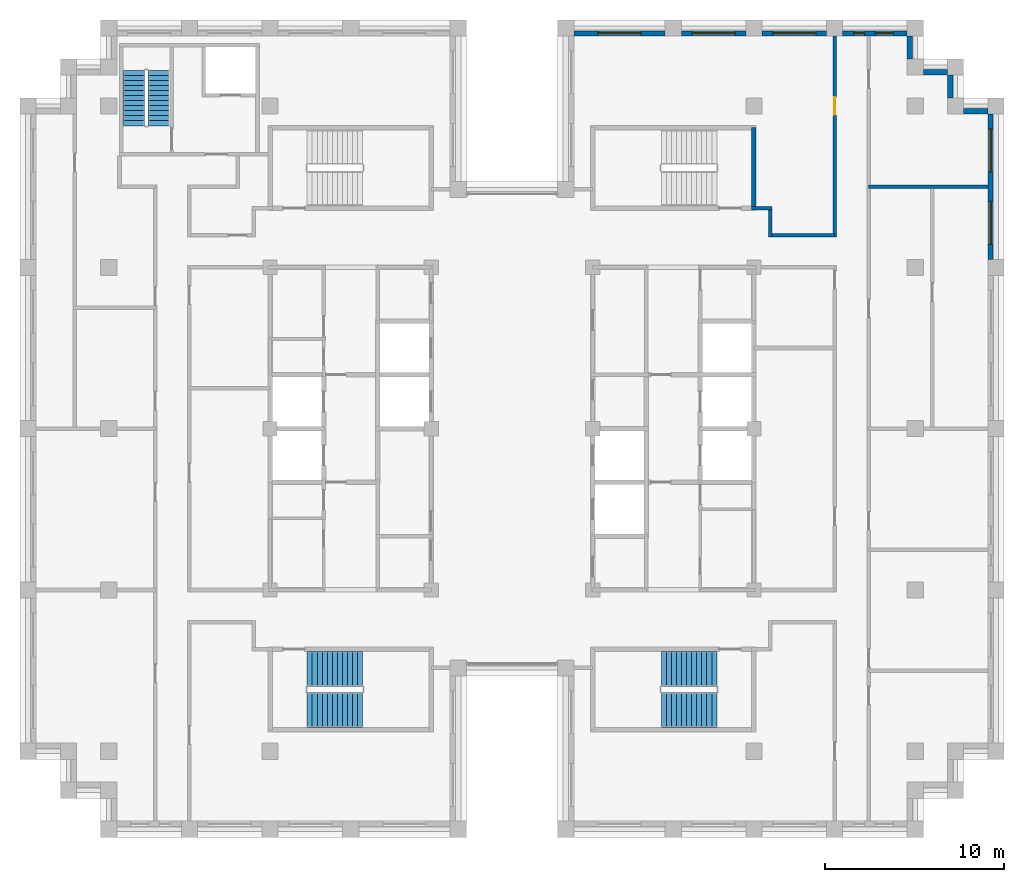
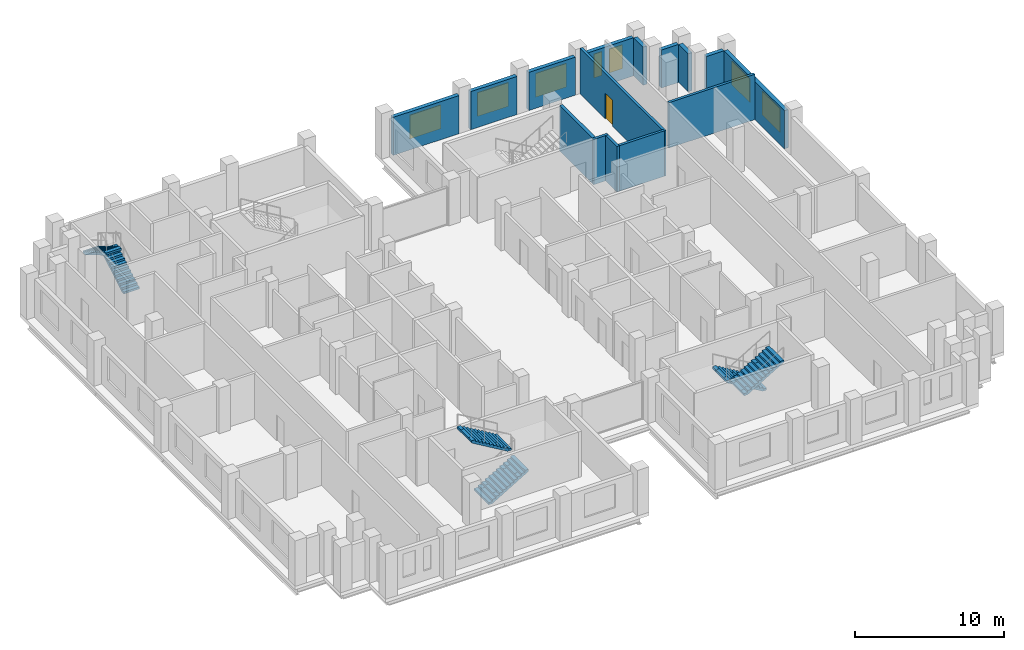
# One storey, part 11 of 13: 15 walls, 7 windows, 6 stair flights, 1 door, 8 openings, 3 elements without a shape of their own.
"""IFC4 building model written with IfcOpenShell, lengths in metres."""

from ifc_helpers import new_model, si_unit, direction, frame, frame_2d, origin, place, context, subcontext, project, spatial, polyline, rectangle, outline, extrude, material, layer, layer_set, type_object, element, fill, aggregate, save


model = new_model("IFC4")

# Units and contexts
model_context = context("Model", 3, precision=1e-05, world=origin(), true_north=direction((0.0, 1.0)))
body_context = subcontext(model_context, "Body", "Model", "MODEL_VIEW")
ifc_project = project(units=[si_unit("LENGTHUNIT", "METRE"), si_unit("AREAUNIT", "SQUARE_METRE"), si_unit("VOLUMEUNIT", "CUBIC_METRE"), si_unit("PLANEANGLEUNIT", "RADIAN"), si_unit("MASSUNIT", "GRAM", prefix="KILO")], contexts=[model_context])

# Site, building, storey
site_placement = place(None, origin())
site = spatial("IfcSite", under=ifc_project, at=site_placement, CompositionType="ELEMENT")
building_placement = place(site_placement, origin())
building = spatial("IfcBuilding", under=site, at=building_placement, Name="Corbelhall Arena Tower", CompositionType="ELEMENT")
storey_placement = place(building_placement, frame((0.0, 0.0, 246.0)))
storey = spatial("IfcBuildingStorey", under=building, at=storey_placement, Name="L52", CompositionType="ELEMENT", Elevation=246.0)

# Wall, openings, windows
ifc_material_1 = material(Name="Precast concrete C40/50 with granite facing", Category="masonry")
ifc_layer_1 = layer(ifc_material_1, 0.300048828125)
ifc_layer_set_1 = layer_set([ifc_layer_1], Name="EV-IW1 Infill panel 300")
wall_type_1 = type_object("IfcWallType", Name="EV-IW1 Infill panel 300", PredefinedType="SOLIDWALL", material=ifc_layer_set_1)
wall_1_placement = place(storey_placement, frame((26.699951171875, 9.449951171875, 0.0), z_axis=(0.0, 0.0, 1.0), x_axis=(0.0, 1.0, 0.0)))
wall_1 = element("IfcWall", 1, at=wall_1_placement, inside=storey, type_object=wall_type_1, Name="Infill panel IW1", PredefinedType="SOLIDWALL", context=body_context, shape_type="SweptSolid", body=[
    extrude(rectangle(XDim=8.10009765625, YDim=0.300048828125, at=frame_2d((4.050048828125, 0.0))), origin(), (0.0, 0.0, 1.0), 3.1201171875),
])
opening_1_placement = place(wall_1_placement, frame((0.824951171875, 0.0, 0.800048828125)))
opening_1 = element("IfcOpeningElement", 2, at=opening_1_placement, cuts=wall_1, Name="Opening WN1", PredefinedType="OPENING", context=body_context, shape_type="SweptSolid", body=[
    extrude(rectangle(XDim=2.39990234375, YDim=1.949951171875, at=frame_2d((1.199951171875, 0.97509765625))), frame((0.0, 0.14990234375, 0.0), z_axis=(0.0, -1.0, 0.0), x_axis=(1.0, 0.0, 0.0)), (0.0, 0.0, 1.0), 0.300048828125),
])
opening_2_placement = place(wall_1_placement, frame((4.875, 0.0, 0.800048828125)))
opening_2 = element("IfcOpeningElement", 3, at=opening_2_placement, cuts=wall_1, Name="Opening WN1", PredefinedType="OPENING", context=body_context, shape_type="SweptSolid", body=[
    extrude(rectangle(XDim=2.39990234375, YDim=1.949951171875, at=frame_2d((1.199951171875, 0.97509765625))), frame((0.0, 0.14990234375, 0.0), z_axis=(0.0, -1.0, 0.0), x_axis=(1.0, 0.0, 0.0)), (0.0, 0.0, 1.0), 0.300048828125),
])
ifc_material_2 = material(Name="Aluminium black anodised", Category="aluminium")
window_type_1 = type_object("IfcWindowType", Name="EV-WN1 Office window", PartitioningType="SINGLE_PANEL", PredefinedType="WINDOW", material=ifc_material_2)
window_1_placement = place(opening_1_placement, origin())
window_1 = element("IfcWindow", 4, at=window_1_placement, inside=storey, type_object=window_type_1, Name="Window WN1", OverallHeight=1.949951171875, OverallWidth=2.39990234375, PartitioningType="SINGLE_PANEL", PredefinedType="WINDOW", context=body_context, shape_type="SweptSolid", body=[
    extrude(rectangle(XDim=2.39990234375, YDim=1.949951171875, at=frame_2d((1.199951171875, 0.97509765625))), frame((0.0, 0.030029296875, 0.0), z_axis=(0.0, -1.0, 0.0), x_axis=(1.0, 0.0, 0.0)), (0.0, 0.0, 1.0), 0.06005859375),
])
fill(opening_1, window_1)
window_2_placement = place(opening_2_placement, origin())
window_2 = element("IfcWindow", 5, at=window_2_placement, inside=storey, type_object=window_type_1, Name="Window WN1", OverallHeight=1.949951171875, OverallWidth=2.39990234375, PartitioningType="SINGLE_PANEL", PredefinedType="WINDOW", context=body_context, shape_type="SweptSolid", body=[
    extrude(rectangle(XDim=2.39990234375, YDim=1.949951171875, at=frame_2d((1.199951171875, 0.97509765625))), frame((0.0, 0.030029296875, 0.0), z_axis=(0.0, -1.0, 0.0), x_axis=(1.0, 0.0, 0.0)), (0.0, 0.0, 1.0), 0.06005859375),
])
fill(opening_2, window_2)

# Walls
wall_2_placement = place(storey_placement, frame((26.550048828125, 17.699951171875, 0.0), z_axis=(0.0, 0.0, 1.0), x_axis=(-1.0, 0.0, 0.0)))
element("IfcWall", 6, at=wall_2_placement, inside=storey, type_object=wall_type_1, Name="Infill panel IW1", PredefinedType="SOLIDWALL", context=body_context, shape_type="SweptSolid", body=[
    extrude(rectangle(XDim=1.35009765625, YDim=0.300048828125, at=frame_2d((0.675048828125, 0.0))), origin(), (0.0, 0.0, 1.0), 3.1201171875),
])
wall_3_placement = place(storey_placement, frame((24.449951171875, 18.449951171875, 0.0), z_axis=(0.0, 0.0, 1.0), x_axis=(0.0, 1.0, 0.0)))
element("IfcWall", 7, at=wall_3_placement, inside=storey, type_object=wall_type_1, Name="Infill panel IW1", PredefinedType="SOLIDWALL", context=body_context, shape_type="SweptSolid", body=[
    extrude(rectangle(XDim=1.275146484375, YDim=0.300048828125, at=frame_2d((0.6376953125, 0.0))), origin(), (0.0, 0.0, 1.0), 3.1201171875),
])
wall_4_placement = place(storey_placement, frame((24.300048828125, 19.875, 0.0), z_axis=(0.0, 0.0, 1.0), x_axis=(-1.0, 0.0, 0.0)))
element("IfcWall", 8, at=wall_4_placement, inside=storey, type_object=wall_type_1, Name="Infill panel IW1", PredefinedType="SOLIDWALL", context=body_context, shape_type="SweptSolid", body=[
    extrude(rectangle(XDim=1.35009765625, YDim=0.300048828125, at=frame_2d((0.675048828125, 0.0))), origin(), (0.0, 0.0, 1.0), 3.1201171875),
])
wall_5_placement = place(storey_placement, frame((22.199951171875, 20.625, 0.0), z_axis=(0.0, 0.0, 1.0), x_axis=(0.0, 1.0, 0.0)))
element("IfcWall", 9, at=wall_5_placement, inside=storey, type_object=wall_type_1, Name="Infill panel IW1", PredefinedType="SOLIDWALL", context=body_context, shape_type="SweptSolid", body=[
    extrude(rectangle(XDim=1.27490234375, YDim=0.300048828125, at=frame_2d((0.637451171875, 0.0))), origin(), (0.0, 0.0, 1.0), 3.1201171875),
])

# Wall, openings, windows
wall_6_placement = place(storey_placement, frame((22.050048828125, 22.050048828125, 0.0), z_axis=(0.0, 0.0, 1.0), x_axis=(-1.0, 0.0, 0.0)))
wall_6 = element("IfcWall", 10, at=wall_6_placement, inside=storey, type_object=wall_type_1, Name="Infill panel IW1", PredefinedType="SOLIDWALL", context=body_context, shape_type="SweptSolid", body=[
    extrude(rectangle(XDim=3.60009765625, YDim=0.300048828125, at=frame_2d((1.800048828125, 0.0))), origin(), (0.0, 0.0, 1.0), 3.1201171875),
])
opening_3_placement = place(wall_6_placement, frame((0.77490234375, 0.0, 0.800048828125)))
opening_3 = element("IfcOpeningElement", 11, at=opening_3_placement, cuts=wall_6, Name="Opening WN6", PredefinedType="OPENING", context=body_context, shape_type="SweptSolid", body=[
    extrude(rectangle(XDim=1.0, YDim=1.949951171875, at=frame_2d((0.5, 0.97509765625))), frame((0.0, 0.14990234375, 0.0), z_axis=(0.0, -1.0, 0.0), x_axis=(1.0, 0.0, 0.0)), (0.0, 0.0, 1.0), 0.300048828125),
])
opening_4_placement = place(wall_6_placement, frame((2.375, 0.0, 0.800048828125)))
opening_4 = element("IfcOpeningElement", 12, at=opening_4_placement, cuts=wall_6, Name="Opening WN5", PredefinedType="OPENING", context=body_context, shape_type="SweptSolid", body=[
    extrude(rectangle(XDim=0.60009765625, YDim=1.949951171875, at=frame_2d((0.300048828125, 0.97509765625))), frame((0.0, 0.14990234375, 0.0), z_axis=(0.0, -1.0, 0.0), x_axis=(1.0, 0.0, 0.0)), (0.0, 0.0, 1.0), 0.300048828125),
])
window_type_2 = type_object("IfcWindowType", Name="EV-WN5 Office window 600", PartitioningType="SINGLE_PANEL", PredefinedType="WINDOW", material=ifc_material_2)
window_3_placement = place(opening_4_placement, origin())
window_3 = element("IfcWindow", 13, at=window_3_placement, inside=storey, type_object=window_type_2, Name="Window WN5", OverallHeight=1.949951171875, OverallWidth=0.60009765625, PartitioningType="SINGLE_PANEL", PredefinedType="WINDOW", context=body_context, shape_type="SweptSolid", body=[
    extrude(rectangle(XDim=0.60009765625, YDim=1.949951171875, at=frame_2d((0.300048828125, 0.97509765625))), frame((0.0, 0.030029296875, 0.0), z_axis=(0.0, -1.0, 0.0), x_axis=(1.0, 0.0, 0.0)), (0.0, 0.0, 1.0), 0.06005859375),
])
fill(opening_4, window_3)
window_type_3 = type_object("IfcWindowType", Name="EV-WN6 Office window 1000", PartitioningType="SINGLE_PANEL", PredefinedType="WINDOW", material=ifc_material_2)
window_4_placement = place(opening_3_placement, origin())
window_4 = element("IfcWindow", 14, at=window_4_placement, inside=storey, type_object=window_type_3, Name="Window WN6", OverallHeight=1.949951171875, OverallWidth=1.0, PartitioningType="SINGLE_PANEL", PredefinedType="WINDOW", context=body_context, shape_type="SweptSolid", body=[
    extrude(rectangle(XDim=1.0, YDim=1.949951171875, at=frame_2d((0.5, 0.97509765625))), frame((0.0, 0.030029296875, 0.0), z_axis=(0.0, -1.0, 0.0), x_axis=(1.0, 0.0, 0.0)), (0.0, 0.0, 1.0), 0.06005859375),
])
fill(opening_3, window_4)

# Wall, opening, window
wall_7_placement = place(storey_placement, frame((17.550048828125, 22.050048828125, 0.0), z_axis=(0.0, 0.0, 1.0), x_axis=(-1.0, 0.0, 0.0)))
wall_7 = element("IfcWall", 15, at=wall_7_placement, inside=storey, type_object=wall_type_1, Name="Infill panel IW1", PredefinedType="SOLIDWALL", context=body_context, shape_type="SweptSolid", body=[
    extrude(rectangle(XDim=3.60009765625, YDim=0.300048828125, at=frame_2d((1.800048828125, 0.0))), origin(), (0.0, 0.0, 1.0), 3.1201171875),
])
opening_5_placement = place(wall_7_placement, frame((0.60009765625, 0.0, 0.800048828125)))
opening_5 = element("IfcOpeningElement", 16, at=opening_5_placement, cuts=wall_7, Name="Opening WN1", PredefinedType="OPENING", context=body_context, shape_type="SweptSolid", body=[
    extrude(rectangle(XDim=2.39990234375, YDim=1.949951171875, at=frame_2d((1.199951171875, 0.97509765625))), frame((0.0, 0.14990234375, 0.0), z_axis=(0.0, -1.0, 0.0), x_axis=(1.0, 0.0, 0.0)), (0.0, 0.0, 1.0), 0.300048828125),
])
window_5_placement = place(opening_5_placement, origin())
window_5 = element("IfcWindow", 17, at=window_5_placement, inside=storey, type_object=window_type_1, Name="Window WN1", OverallHeight=1.949951171875, OverallWidth=2.39990234375, PartitioningType="SINGLE_PANEL", PredefinedType="WINDOW", context=body_context, shape_type="SweptSolid", body=[
    extrude(rectangle(XDim=2.39990234375, YDim=1.949951171875, at=frame_2d((1.199951171875, 0.97509765625))), frame((0.0, 0.030029296875, 0.0), z_axis=(0.0, -1.0, 0.0), x_axis=(1.0, 0.0, 0.0)), (0.0, 0.0, 1.0), 0.06005859375),
])
fill(opening_5, window_5)

wall_8_placement = place(storey_placement, frame((13.050048828125, 22.050048828125, 0.0), z_axis=(0.0, 0.0, 1.0), x_axis=(-1.0, 0.0, 0.0)))
wall_8 = element("IfcWall", 18, at=wall_8_placement, inside=storey, type_object=wall_type_1, Name="Infill panel IW1", PredefinedType="SOLIDWALL", context=body_context, shape_type="SweptSolid", body=[
    extrude(rectangle(XDim=3.60009765625, YDim=0.300048828125, at=frame_2d((1.800048828125, 0.0))), origin(), (0.0, 0.0, 1.0), 3.1201171875),
])
opening_6_placement = place(wall_8_placement, frame((0.60009765625, 0.0, 0.800048828125)))
opening_6 = element("IfcOpeningElement", 19, at=opening_6_placement, cuts=wall_8, Name="Opening WN1", PredefinedType="OPENING", context=body_context, shape_type="SweptSolid", body=[
    extrude(rectangle(XDim=2.39990234375, YDim=1.949951171875, at=frame_2d((1.199951171875, 0.97509765625))), frame((0.0, 0.14990234375, 0.0), z_axis=(0.0, -1.0, 0.0), x_axis=(1.0, 0.0, 0.0)), (0.0, 0.0, 1.0), 0.300048828125),
])
window_6_placement = place(opening_6_placement, origin())
window_6 = element("IfcWindow", 20, at=window_6_placement, inside=storey, type_object=window_type_1, Name="Window WN1", OverallHeight=1.949951171875, OverallWidth=2.39990234375, PartitioningType="SINGLE_PANEL", PredefinedType="WINDOW", context=body_context, shape_type="SweptSolid", body=[
    extrude(rectangle(XDim=2.39990234375, YDim=1.949951171875, at=frame_2d((1.199951171875, 0.97509765625))), frame((0.0, 0.030029296875, 0.0), z_axis=(0.0, -1.0, 0.0), x_axis=(1.0, 0.0, 0.0)), (0.0, 0.0, 1.0), 0.06005859375),
])
fill(opening_6, window_6)

wall_9_placement = place(storey_placement, frame((8.550048828125, 22.050048828125, 0.0), z_axis=(0.0, 0.0, 1.0), x_axis=(-1.0, 0.0, 0.0)))
wall_9 = element("IfcWall", 21, at=wall_9_placement, inside=storey, type_object=wall_type_1, Name="Infill panel IW1", PredefinedType="SOLIDWALL", context=body_context, shape_type="SweptSolid", body=[
    extrude(rectangle(XDim=5.10009765625, YDim=0.300048828125, at=frame_2d((2.550048828125, 0.0))), origin(), (0.0, 0.0, 1.0), 3.1201171875),
])
opening_7_placement = place(wall_9_placement, frame((1.35009765625, 0.0, 0.800048828125)))
opening_7 = element("IfcOpeningElement", 22, at=opening_7_placement, cuts=wall_9, Name="Opening WN1", PredefinedType="OPENING", context=body_context, shape_type="SweptSolid", body=[
    extrude(rectangle(XDim=2.39990234375, YDim=1.949951171875, at=frame_2d((1.199951171875, 0.97509765625))), frame((0.0, 0.14990234375, 0.0), z_axis=(0.0, -1.0, 0.0), x_axis=(1.0, 0.0, 0.0)), (0.0, 0.0, 1.0), 0.300048828125),
])
window_7_placement = place(opening_7_placement, origin())
window_7 = element("IfcWindow", 23, at=window_7_placement, inside=storey, type_object=window_type_1, Name="Window WN1", OverallHeight=1.949951171875, OverallWidth=2.39990234375, PartitioningType="SINGLE_PANEL", PredefinedType="WINDOW", context=body_context, shape_type="SweptSolid", body=[
    extrude(rectangle(XDim=2.39990234375, YDim=1.949951171875, at=frame_2d((1.199951171875, 0.97509765625))), frame((0.0, 0.030029296875, 0.0), z_axis=(0.0, -1.0, 0.0), x_axis=(1.0, 0.0, 0.0)), (0.0, 0.0, 1.0), 0.06005859375),
])
fill(opening_7, window_7)

# Walls
ifc_material_3 = material(Name="Gypsum board on steel stud, acoustic", Category="steel")
ifc_layer_2 = layer(ifc_material_3, 0.199951171875)
ifc_layer_set_2 = layer_set([ifc_layer_2], Name="IN-W-DM200")
wall_type_2 = type_object("IfcWallType", Name="IN-W-DM200", PredefinedType="PARTITIONING", material=ifc_layer_set_2)
wall_10_placement = place(storey_placement, frame((13.375, 12.300048828125, 0.0), z_axis=(0.0, 0.0, 1.0), x_axis=(1.0, 0.0, 0.0)))
element("IfcWall", 24, at=wall_10_placement, inside=storey, type_object=wall_type_2, Name="Partition 026", PredefinedType="PARTITIONING", context=body_context, shape_type="SweptSolid", body=[
    extrude(rectangle(XDim=1.125, YDim=0.199951171875, at=frame_2d((0.5625, 0.0))), origin(), (0.0, 0.0, 1.0), 3.719970703125),
])
wall_11_placement = place(storey_placement, frame((14.39990234375, 10.800048828125, 0.0), z_axis=(0.0, 0.0, 1.0), x_axis=(1.0, 0.0, 0.0)))
element("IfcWall", 25, at=wall_11_placement, inside=storey, type_object=wall_type_2, Name="Partition 032", PredefinedType="PARTITIONING", context=body_context, shape_type="SweptSolid", body=[
    extrude(rectangle(XDim=3.60009765625, YDim=0.199951171875, at=frame_2d((1.800048828125, 0.0))), origin(), (0.0, 0.0, 1.0), 3.719970703125),
])
wall_12_placement = place(storey_placement, frame((14.39990234375, 12.300048828125, 0.0), z_axis=(0.0, 0.0, 1.0), x_axis=(0.0, -1.0, 0.0)))
element("IfcWall", 26, at=wall_12_placement, inside=storey, type_object=wall_type_2, Name="Partition 033", PredefinedType="PARTITIONING", context=body_context, shape_type="SweptSolid", body=[
    extrude(rectangle(XDim=1.60009765625, YDim=0.199951171875, at=frame_2d((0.800048828125, 0.0))), origin(), (0.0, 0.0, 1.0), 3.719970703125),
])

# Wall, opening, door
wall_13_placement = place(storey_placement, frame((18.0, 10.699951171875, 0.0), z_axis=(0.0, 0.0, 1.0), x_axis=(0.0, 1.0, 0.0)))
wall_13 = element("IfcWall", 27, at=wall_13_placement, inside=storey, type_object=wall_type_2, Name="Partition 037", PredefinedType="PARTITIONING", context=body_context, shape_type="SweptSolid", body=[
    extrude(rectangle(XDim=11.199951171875, YDim=0.199951171875, at=frame_2d((5.60009765625, 0.0))), origin(), (0.0, 0.0, 1.0), 3.719970703125),
])
opening_8_placement = place(wall_13_placement, frame((6.800048828125, 0.0, 0.0)))
opening_8 = element("IfcOpeningElement", 28, at=opening_8_placement, cuts=wall_13, Name="Opening 16026", PredefinedType="OPENING", context=body_context, shape_type="SweptSolid", body=[
    extrude(rectangle(XDim=1.0, YDim=2.10009765625, at=frame_2d((0.5, 1.050048828125))), frame((0.0, 0.10009765625, 0.0), z_axis=(0.0, -1.0, 0.0), x_axis=(1.0, 0.0, 0.0)), (0.0, 0.0, 1.0), 0.199951171875),
])
ifc_material_4 = material(Name="Steel door set", Category="steel")
door_type = type_object("IfcDoorType", Name="IN-D-SW100", OperationType="NOTDEFINED", PredefinedType="DOOR", material=ifc_material_4)
door_placement = place(opening_8_placement, origin())
door = element("IfcDoor", 29, at=door_placement, inside=storey, type_object=door_type, Name="Door 026", OperationType="SINGLE_SWING_LEFT", OverallHeight=2.10009765625, OverallWidth=1.0, PredefinedType="DOOR", context=body_context, shape_type="SweptSolid", body=[
    extrude(rectangle(XDim=1.0, YDim=2.10009765625, at=frame_2d((0.5, 1.050048828125))), frame((0.0, 0.02490234375, 0.0), z_axis=(0.0, -1.0, 0.0), x_axis=(1.0, 0.0, 0.0)), (0.0, 0.0, 1.0), 0.050048828125),
])
fill(opening_8, door)

# Walls
wall_14_placement = place(storey_placement, frame((19.89990234375, 13.5, 0.0), z_axis=(0.0, 0.0, 1.0), x_axis=(1.0, 0.0, 0.0)))
element("IfcWall", 30, at=wall_14_placement, inside=storey, type_object=wall_type_2, Name="Partition 041", PredefinedType="PARTITIONING", context=body_context, shape_type="SweptSolid", body=[
    extrude(rectangle(XDim=6.650146484375, YDim=0.199951171875, at=frame_2d((3.3251953125, 0.0))), origin(), (0.0, 0.0, 1.0), 3.719970703125),
])
ifc_material_5 = material(Name="Concrete C40/50", Category="concrete")
ifc_layer_3 = layer(ifc_material_5, 0.25)
ifc_layer_set_3 = layer_set([ifc_layer_3], Name="IN-W-ST250")
wall_type_3 = type_object("IfcWallType", Name="IN-W-ST250", PredefinedType="SOLIDWALL", material=ifc_layer_set_3)
wall_15_placement = place(storey_placement, frame((13.5, 16.800048828125, 0.0), z_axis=(0.0, 0.0, 1.0), x_axis=(0.0, -1.0, 0.0)))
element("IfcWall", 31, at=wall_15_placement, inside=storey, type_object=wall_type_3, Name="Shaft wall 101", PredefinedType="SOLIDWALL", context=body_context, shape_type="SweptSolid", body=[
    extrude(rectangle(XDim=4.5, YDim=0.25, at=frame_2d((2.25, 0.0))), origin(), (0.0, 0.0, 1.0), 3.719970703125),
])

# Stair, stair flights
stair_type = type_object("IfcStairType", Name="IN-ST-TOWER", PredefinedType="HALF_TURN_STAIR", material=ifc_material_5)
stair_1_placement = place(storey_placement, origin())
stair_1 = element("IfcStair", 32, at=stair_1_placement, inside=storey, type_object=stair_type, Name="L52 Exit stair ST2", PredefinedType="HALF_TURN_STAIR")
stair_flight_type = type_object("IfcStairFlightType", Name="IN-SFL-RC", PredefinedType="STRAIGHT", material=ifc_material_5)
stair_flight_1_placement = place(storey_placement, frame((-11.425048828125, -15.699951171875, 0.0), z_axis=(0.0, 0.0, 1.0), x_axis=(1.0, 0.0, 0.0)))
stair_flight_1 = element("IfcStairFlight", 33, at=stair_flight_1_placement, type_object=stair_flight_type, Name="ST2 flight 1", NumberOfRisers=12, NumberOfTreads=11, PredefinedType="STRAIGHT", RiserHeight=0.166666667, TreadLength=0.28, context=body_context, shape_type="SweptSolid", body=[
    extrude(outline(polyline([(0.0, 0.0), (0.0, 0.166748046875), (0.280029296875, 0.166748046875), (0.280029296875, 0.333251953125), (0.56005859375, 0.333251953125), (0.56005859375, 0.5), (0.840087890625, 0.5), (0.840087890625, 0.666748046875), (1.1201171875, 0.666748046875), (1.1201171875, 0.833251953125), (1.39990234375, 0.833251953125), (1.39990234375, 1.0), (1.679931640625, 1.0), (1.679931640625, 1.166748046875), (1.9599609375, 1.166748046875), (1.9599609375, 1.333251953125), (2.239990234375, 1.333251953125), (2.239990234375, 1.5), (2.52001953125, 1.5), (2.52001953125, 1.666748046875), (2.800048828125, 1.666748046875), (2.800048828125, 1.833251953125), (3.080078125, 1.833251953125), (3.080078125, 2.0), (3.080078125, 1.658935546875), (0.29296875, 0.0), (0.0, 0.0)])), frame((0.0, 0.97509765625, 0.0), z_axis=(0.0, -1.0, 0.0), x_axis=(1.0, 0.0, 0.0)), (0.0, 0.0, 1.0), 0.449951171875),
    extrude(outline(polyline([(0.0, 0.0), (0.0, 0.166748046875), (0.280029296875, 0.166748046875), (0.280029296875, 0.333251953125), (0.56005859375, 0.333251953125), (0.56005859375, 0.5), (0.840087890625, 0.5), (0.840087890625, 0.666748046875), (1.1201171875, 0.666748046875), (1.1201171875, 0.833251953125), (1.39990234375, 0.833251953125), (1.39990234375, 1.0), (1.679931640625, 1.0), (1.679931640625, 1.166748046875), (1.9599609375, 1.166748046875), (1.9599609375, 1.333251953125), (2.239990234375, 1.333251953125), (2.239990234375, 1.5), (2.52001953125, 1.5), (2.52001953125, 1.666748046875), (2.800048828125, 1.666748046875), (2.800048828125, 1.833251953125), (3.080078125, 1.833251953125), (3.080078125, 2.0), (3.080078125, 1.658935546875), (0.29296875, 0.0), (0.0, 0.0)])), frame((0.0, 0.52099609375, 0.0), z_axis=(0.0, -1.0, 0.0), x_axis=(1.0, 0.0, 0.0)), (0.0, 0.0, 1.0), 1.0419921875),
    extrude(outline(polyline([(0.0, 0.0), (0.0, 0.166748046875), (0.280029296875, 0.166748046875), (0.280029296875, 0.333251953125), (0.56005859375, 0.333251953125), (0.56005859375, 0.5), (0.840087890625, 0.5), (0.840087890625, 0.666748046875), (1.1201171875, 0.666748046875), (1.1201171875, 0.833251953125), (1.39990234375, 0.833251953125), (1.39990234375, 1.0), (1.679931640625, 1.0), (1.679931640625, 1.166748046875), (1.9599609375, 1.166748046875), (1.9599609375, 1.333251953125), (2.239990234375, 1.333251953125), (2.239990234375, 1.5), (2.52001953125, 1.5), (2.52001953125, 1.666748046875), (2.800048828125, 1.666748046875), (2.800048828125, 1.833251953125), (3.080078125, 1.833251953125), (3.080078125, 2.0), (3.080078125, 1.658935546875), (0.29296875, 0.0), (0.0, 0.0)])), frame((0.0, -0.52490234375, 0.0), z_axis=(0.0, -1.0, 0.0), x_axis=(1.0, 0.0, 0.0)), (0.0, 0.0, 1.0), 0.449951171875),
])
stair_flight_2_placement = place(storey_placement, frame((-8.344970703125, -13.39990234375, 2.0), z_axis=(0.0, 0.0, 1.0), x_axis=(-1.0, 0.0, 0.0)))
stair_flight_2 = element("IfcStairFlight", 34, at=stair_flight_2_placement, type_object=stair_flight_type, Name="ST2 flight 2", NumberOfRisers=12, NumberOfTreads=11, PredefinedType="STRAIGHT", RiserHeight=0.166666667, TreadLength=0.28, context=body_context, shape_type="SweptSolid", body=[
    extrude(outline(polyline([(0.0, 0.0), (0.0, 0.166748046875), (0.280029296875, 0.166748046875), (0.280029296875, 0.333251953125), (0.56005859375, 0.333251953125), (0.56005859375, 0.5), (0.840087890625, 0.5), (0.840087890625, 0.666748046875), (1.1201171875, 0.666748046875), (1.1201171875, 0.833251953125), (1.39990234375, 0.833251953125), (1.39990234375, 1.0), (1.679931640625, 1.0), (1.679931640625, 1.166748046875), (1.9599609375, 1.166748046875), (1.9599609375, 1.333251953125), (2.239990234375, 1.333251953125), (2.239990234375, 1.5), (2.52001953125, 1.5), (2.52001953125, 1.666748046875), (2.800048828125, 1.666748046875), (2.800048828125, 1.833251953125), (3.080078125, 1.833251953125), (3.080078125, 2.0), (3.080078125, 1.658935546875), (0.29296875, 0.0), (0.0, 0.0)])), frame((0.0, 0.97509765625, 0.0), z_axis=(0.0, -1.0, 0.0), x_axis=(1.0, 0.0, 0.0)), (0.0, 0.0, 1.0), 0.449951171875),
    extrude(outline(polyline([(0.0, 0.0), (0.0, 0.166748046875), (0.280029296875, 0.166748046875), (0.280029296875, 0.333251953125), (0.56005859375, 0.333251953125), (0.56005859375, 0.5), (0.840087890625, 0.5), (0.840087890625, 0.666748046875), (1.1201171875, 0.666748046875), (1.1201171875, 0.833251953125), (1.39990234375, 0.833251953125), (1.39990234375, 1.0), (1.679931640625, 1.0), (1.679931640625, 1.166748046875), (1.9599609375, 1.166748046875), (1.9599609375, 1.333251953125), (2.239990234375, 1.333251953125), (2.239990234375, 1.5), (2.52001953125, 1.5), (2.52001953125, 1.666748046875), (2.800048828125, 1.666748046875), (2.800048828125, 1.833251953125), (3.080078125, 1.833251953125), (3.080078125, 2.0), (3.080078125, 1.658935546875), (0.29296875, 0.0), (0.0, 0.0)])), frame((0.0, 0.52099609375, 0.0), z_axis=(0.0, -1.0, 0.0), x_axis=(1.0, 0.0, 0.0)), (0.0, 0.0, 1.0), 1.0419921875),
    extrude(outline(polyline([(0.0, 0.0), (0.0, 0.166748046875), (0.280029296875, 0.166748046875), (0.280029296875, 0.333251953125), (0.56005859375, 0.333251953125), (0.56005859375, 0.5), (0.840087890625, 0.5), (0.840087890625, 0.666748046875), (1.1201171875, 0.666748046875), (1.1201171875, 0.833251953125), (1.39990234375, 0.833251953125), (1.39990234375, 1.0), (1.679931640625, 1.0), (1.679931640625, 1.166748046875), (1.9599609375, 1.166748046875), (1.9599609375, 1.333251953125), (2.239990234375, 1.333251953125), (2.239990234375, 1.5), (2.52001953125, 1.5), (2.52001953125, 1.666748046875), (2.800048828125, 1.666748046875), (2.800048828125, 1.833251953125), (3.080078125, 1.833251953125), (3.080078125, 2.0), (3.080078125, 1.658935546875), (0.29296875, 0.0), (0.0, 0.0)])), frame((0.0, -0.52490234375, 0.0), z_axis=(0.0, -1.0, 0.0), x_axis=(1.0, 0.0, 0.0)), (0.0, 0.0, 1.0), 0.449951171875),
])
aggregate(stair_1, [stair_flight_1, stair_flight_2])

stair_2_placement = place(storey_placement, origin())
stair_2 = element("IfcStair", 35, at=stair_2_placement, inside=storey, type_object=stair_type, Name="L52 Exit stair ST4", PredefinedType="HALF_TURN_STAIR")
stair_flight_3_placement = place(storey_placement, frame((11.425048828125, -13.39990234375, 0.0), z_axis=(0.0, 0.0, 1.0), x_axis=(-1.0, 0.0, 0.0)))
stair_flight_3 = element("IfcStairFlight", 36, at=stair_flight_3_placement, type_object=stair_flight_type, Name="ST4 flight 1", NumberOfRisers=12, NumberOfTreads=11, PredefinedType="STRAIGHT", RiserHeight=0.166666667, TreadLength=0.28, context=body_context, shape_type="SweptSolid", body=[
    extrude(outline(polyline([(0.0, 0.0), (0.0, 0.166748046875), (0.280029296875, 0.166748046875), (0.280029296875, 0.333251953125), (0.56005859375, 0.333251953125), (0.56005859375, 0.5), (0.840087890625, 0.5), (0.840087890625, 0.666748046875), (1.1201171875, 0.666748046875), (1.1201171875, 0.833251953125), (1.39990234375, 0.833251953125), (1.39990234375, 1.0), (1.679931640625, 1.0), (1.679931640625, 1.166748046875), (1.9599609375, 1.166748046875), (1.9599609375, 1.333251953125), (2.239990234375, 1.333251953125), (2.239990234375, 1.5), (2.52001953125, 1.5), (2.52001953125, 1.666748046875), (2.800048828125, 1.666748046875), (2.800048828125, 1.833251953125), (3.080078125, 1.833251953125), (3.080078125, 2.0), (3.080078125, 1.658935546875), (0.29296875, 0.0), (0.0, 0.0)])), frame((0.0, 0.97509765625, 0.0), z_axis=(0.0, -1.0, 0.0), x_axis=(1.0, 0.0, 0.0)), (0.0, 0.0, 1.0), 0.449951171875),
    extrude(outline(polyline([(0.0, 0.0), (0.0, 0.166748046875), (0.280029296875, 0.166748046875), (0.280029296875, 0.333251953125), (0.56005859375, 0.333251953125), (0.56005859375, 0.5), (0.840087890625, 0.5), (0.840087890625, 0.666748046875), (1.1201171875, 0.666748046875), (1.1201171875, 0.833251953125), (1.39990234375, 0.833251953125), (1.39990234375, 1.0), (1.679931640625, 1.0), (1.679931640625, 1.166748046875), (1.9599609375, 1.166748046875), (1.9599609375, 1.333251953125), (2.239990234375, 1.333251953125), (2.239990234375, 1.5), (2.52001953125, 1.5), (2.52001953125, 1.666748046875), (2.800048828125, 1.666748046875), (2.800048828125, 1.833251953125), (3.080078125, 1.833251953125), (3.080078125, 2.0), (3.080078125, 1.658935546875), (0.29296875, 0.0), (0.0, 0.0)])), frame((0.0, 0.52099609375, 0.0), z_axis=(0.0, -1.0, 0.0), x_axis=(1.0, 0.0, 0.0)), (0.0, 0.0, 1.0), 1.0419921875),
    extrude(outline(polyline([(0.0, 0.0), (0.0, 0.166748046875), (0.280029296875, 0.166748046875), (0.280029296875, 0.333251953125), (0.56005859375, 0.333251953125), (0.56005859375, 0.5), (0.840087890625, 0.5), (0.840087890625, 0.666748046875), (1.1201171875, 0.666748046875), (1.1201171875, 0.833251953125), (1.39990234375, 0.833251953125), (1.39990234375, 1.0), (1.679931640625, 1.0), (1.679931640625, 1.166748046875), (1.9599609375, 1.166748046875), (1.9599609375, 1.333251953125), (2.239990234375, 1.333251953125), (2.239990234375, 1.5), (2.52001953125, 1.5), (2.52001953125, 1.666748046875), (2.800048828125, 1.666748046875), (2.800048828125, 1.833251953125), (3.080078125, 1.833251953125), (3.080078125, 2.0), (3.080078125, 1.658935546875), (0.29296875, 0.0), (0.0, 0.0)])), frame((0.0, -0.52490234375, 0.0), z_axis=(0.0, -1.0, 0.0), x_axis=(1.0, 0.0, 0.0)), (0.0, 0.0, 1.0), 0.449951171875),
])
stair_flight_4_placement = place(storey_placement, frame((8.344970703125, -15.699951171875, 2.0), z_axis=(0.0, 0.0, 1.0), x_axis=(1.0, 0.0, 0.0)))
stair_flight_4 = element("IfcStairFlight", 37, at=stair_flight_4_placement, type_object=stair_flight_type, Name="ST4 flight 2", NumberOfRisers=12, NumberOfTreads=11, PredefinedType="STRAIGHT", RiserHeight=0.166666667, TreadLength=0.28, context=body_context, shape_type="SweptSolid", body=[
    extrude(outline(polyline([(0.0, 0.0), (0.0, 0.166748046875), (0.280029296875, 0.166748046875), (0.280029296875, 0.333251953125), (0.56005859375, 0.333251953125), (0.56005859375, 0.5), (0.840087890625, 0.5), (0.840087890625, 0.666748046875), (1.1201171875, 0.666748046875), (1.1201171875, 0.833251953125), (1.39990234375, 0.833251953125), (1.39990234375, 1.0), (1.679931640625, 1.0), (1.679931640625, 1.166748046875), (1.9599609375, 1.166748046875), (1.9599609375, 1.333251953125), (2.239990234375, 1.333251953125), (2.239990234375, 1.5), (2.52001953125, 1.5), (2.52001953125, 1.666748046875), (2.800048828125, 1.666748046875), (2.800048828125, 1.833251953125), (3.080078125, 1.833251953125), (3.080078125, 2.0), (3.080078125, 1.658935546875), (0.29296875, 0.0), (0.0, 0.0)])), frame((0.0, 0.97509765625, 0.0), z_axis=(0.0, -1.0, 0.0), x_axis=(1.0, 0.0, 0.0)), (0.0, 0.0, 1.0), 0.449951171875),
    extrude(outline(polyline([(0.0, 0.0), (0.0, 0.166748046875), (0.280029296875, 0.166748046875), (0.280029296875, 0.333251953125), (0.56005859375, 0.333251953125), (0.56005859375, 0.5), (0.840087890625, 0.5), (0.840087890625, 0.666748046875), (1.1201171875, 0.666748046875), (1.1201171875, 0.833251953125), (1.39990234375, 0.833251953125), (1.39990234375, 1.0), (1.679931640625, 1.0), (1.679931640625, 1.166748046875), (1.9599609375, 1.166748046875), (1.9599609375, 1.333251953125), (2.239990234375, 1.333251953125), (2.239990234375, 1.5), (2.52001953125, 1.5), (2.52001953125, 1.666748046875), (2.800048828125, 1.666748046875), (2.800048828125, 1.833251953125), (3.080078125, 1.833251953125), (3.080078125, 2.0), (3.080078125, 1.658935546875), (0.29296875, 0.0), (0.0, 0.0)])), frame((0.0, 0.52099609375, 0.0), z_axis=(0.0, -1.0, 0.0), x_axis=(1.0, 0.0, 0.0)), (0.0, 0.0, 1.0), 1.0419921875),
    extrude(outline(polyline([(0.0, 0.0), (0.0, 0.166748046875), (0.280029296875, 0.166748046875), (0.280029296875, 0.333251953125), (0.56005859375, 0.333251953125), (0.56005859375, 0.5), (0.840087890625, 0.5), (0.840087890625, 0.666748046875), (1.1201171875, 0.666748046875), (1.1201171875, 0.833251953125), (1.39990234375, 0.833251953125), (1.39990234375, 1.0), (1.679931640625, 1.0), (1.679931640625, 1.166748046875), (1.9599609375, 1.166748046875), (1.9599609375, 1.333251953125), (2.239990234375, 1.333251953125), (2.239990234375, 1.5), (2.52001953125, 1.5), (2.52001953125, 1.666748046875), (2.800048828125, 1.666748046875), (2.800048828125, 1.833251953125), (3.080078125, 1.833251953125), (3.080078125, 2.0), (3.080078125, 1.658935546875), (0.29296875, 0.0), (0.0, 0.0)])), frame((0.0, -0.52490234375, 0.0), z_axis=(0.0, -1.0, 0.0), x_axis=(1.0, 0.0, 0.0)), (0.0, 0.0, 1.0), 0.449951171875),
])
aggregate(stair_2, [stair_flight_3, stair_flight_4])

stair_3_placement = place(storey_placement, origin())
stair_3 = element("IfcStair", 38, at=stair_3_placement, inside=storey, type_object=stair_type, Name="L52 Exit stair ST5", PredefinedType="HALF_TURN_STAIR")
stair_flight_5_placement = place(storey_placement, frame((-19.695068359375, 16.89990234375, 0.0), z_axis=(0.0, 0.0, 1.0), x_axis=(0.0, 1.0, 0.0)))
stair_flight_5 = element("IfcStairFlight", 39, at=stair_flight_5_placement, type_object=stair_flight_type, Name="ST5 flight 1", NumberOfRisers=12, NumberOfTreads=11, PredefinedType="STRAIGHT", RiserHeight=0.166666667, TreadLength=0.28, context=body_context, shape_type="SweptSolid", body=[
    extrude(outline(polyline([(0.0, 0.0), (0.0, 0.166748046875), (0.280029296875, 0.166748046875), (0.280029296875, 0.333251953125), (0.56005859375, 0.333251953125), (0.56005859375, 0.5), (0.840087890625, 0.5), (0.840087890625, 0.666748046875), (1.1201171875, 0.666748046875), (1.1201171875, 0.833251953125), (1.39990234375, 0.833251953125), (1.39990234375, 1.0), (1.679931640625, 1.0), (1.679931640625, 1.166748046875), (1.9599609375, 1.166748046875), (1.9599609375, 1.333251953125), (2.239990234375, 1.333251953125), (2.239990234375, 1.5), (2.52001953125, 1.5), (2.52001953125, 1.666748046875), (2.800048828125, 1.666748046875), (2.800048828125, 1.833251953125), (3.080078125, 1.833251953125), (3.080078125, 2.0), (3.080078125, 1.658935546875), (0.29296875, 0.0), (0.0, 0.0)])), frame((0.0, 0.60009765625, 0.0), z_axis=(0.0, -1.0, 0.0), x_axis=(1.0, 0.0, 0.0)), (0.0, 0.0, 1.0), 1.199951171875),
])
stair_flight_6_placement = place(storey_placement, frame((-21.094970703125, 19.97998046875, 2.0), z_axis=(0.0, 0.0, 1.0), x_axis=(0.0, -1.0, 0.0)))
stair_flight_6 = element("IfcStairFlight", 40, at=stair_flight_6_placement, type_object=stair_flight_type, Name="ST5 flight 2", NumberOfRisers=12, NumberOfTreads=11, PredefinedType="STRAIGHT", RiserHeight=0.166666667, TreadLength=0.28, context=body_context, shape_type="SweptSolid", body=[
    extrude(outline(polyline([(0.0, 0.0), (0.0, 0.166748046875), (0.280029296875, 0.166748046875), (0.280029296875, 0.333251953125), (0.56005859375, 0.333251953125), (0.56005859375, 0.5), (0.840087890625, 0.5), (0.840087890625, 0.666748046875), (1.1201171875, 0.666748046875), (1.1201171875, 0.833251953125), (1.39990234375, 0.833251953125), (1.39990234375, 1.0), (1.679931640625, 1.0), (1.679931640625, 1.166748046875), (1.9599609375, 1.166748046875), (1.9599609375, 1.333251953125), (2.239990234375, 1.333251953125), (2.239990234375, 1.5), (2.52001953125, 1.5), (2.52001953125, 1.666748046875), (2.800048828125, 1.666748046875), (2.800048828125, 1.833251953125), (3.080078125, 1.833251953125), (3.080078125, 2.0), (3.080078125, 1.658935546875), (0.29296875, 0.0), (0.0, 0.0)])), frame((0.0, 0.60009765625, 0.0), z_axis=(0.0, -1.0, 0.0), x_axis=(1.0, 0.0, 0.0)), (0.0, 0.0, 1.0), 1.199951171875),
])
aggregate(stair_3, [stair_flight_5, stair_flight_6])

save(model, "model.ifc")
